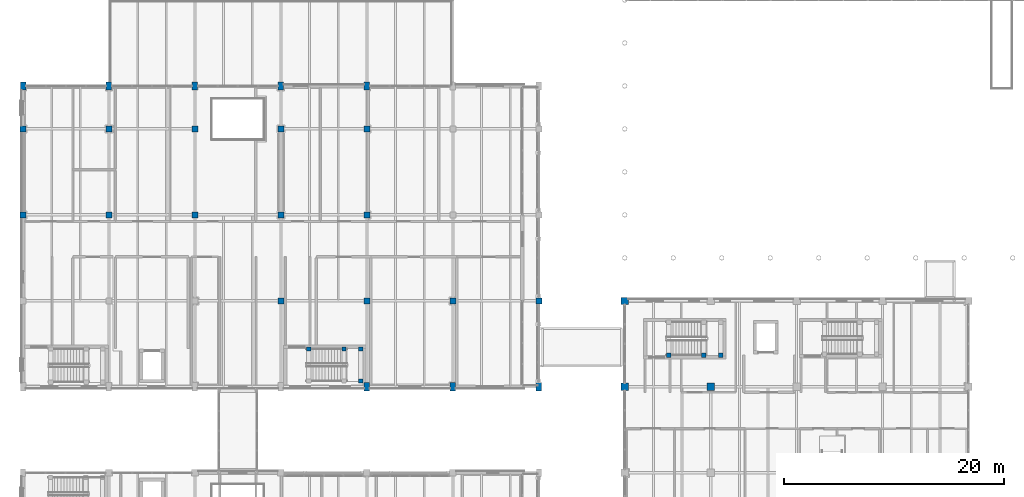
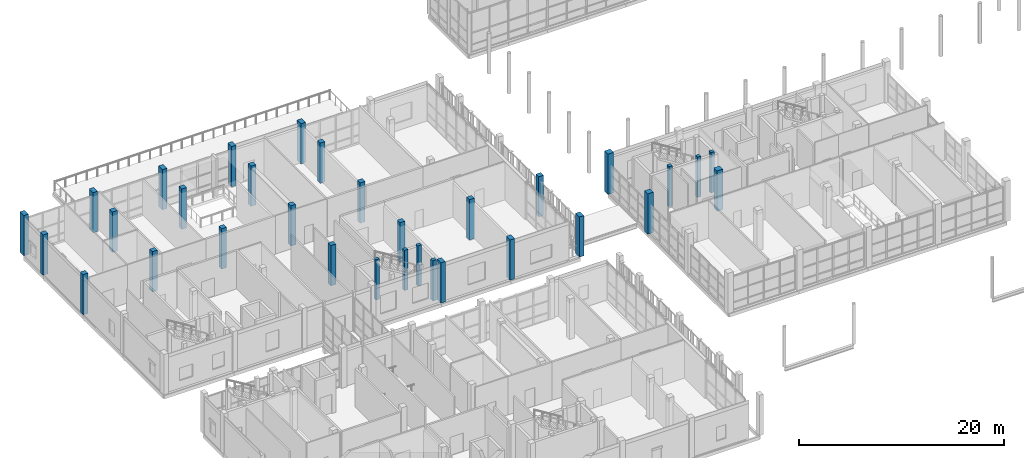
# One storey, part 5 of 138: 32 columns.
"""IFC4 building model written with IfcOpenShell, lengths in metres."""

from ifc_helpers import new_model, si_unit, direction, frame, origin, origin_2d, place, context, subcontext, project, spatial, rectangle, extrude, material, material_profile, profile_set, type_object, element, save


model = new_model("IFC4")

# Units and contexts
model_context = context("Model", 3, precision=1e-05, world=origin(), true_north=direction((0.0, 1.0)))
body_context = subcontext(model_context, "Body", "Model", "MODEL_VIEW")
ifc_project = project(units=[si_unit("LENGTHUNIT", "METRE"), si_unit("AREAUNIT", "SQUARE_METRE"), si_unit("VOLUMEUNIT", "CUBIC_METRE"), si_unit("PLANEANGLEUNIT", "RADIAN"), si_unit("MASSUNIT", "GRAM", prefix="KILO")], contexts=[model_context])

# Site, building, storey
site_placement = place(None, origin())
site = spatial("IfcSite", under=ifc_project, at=site_placement, CompositionType="ELEMENT")
building_placement = place(site_placement, origin())
building = spatial("IfcBuilding", under=site, at=building_placement, Name="Celorna Specialist Clinic", CompositionType="ELEMENT")
storey_placement = place(building_placement, frame((0.0, 0.0, 4.800048828125)))
storey = spatial("IfcBuildingStorey", under=building, at=storey_placement, Name="L01", CompositionType="ELEMENT", Elevation=4.800048828125)

# Columns
ifc_material_1 = material(Name="Concrete C40/50", Category="concrete")
ifc_material_profile_1 = material_profile(ifc_material_1, rectangle(XDim=0.64990234375, YDim=0.64990234375, at=origin_2d()), Name="RC 650x650")
ifc_profile_set_1 = profile_set([ifc_material_profile_1], Name="Concrete C40/50")
column_type_1 = type_object("IfcColumnType", Name="CT-03", PredefinedType="COLUMN", material=ifc_profile_set_1)
for number, where, z_axis, x_axis, name in (
    (1, (54.60009765625, 35.10009765625, 0.0), (0.0, 0.0, 1.0), (1.0, 0.0, 0.0), "Column CT-03 L01 X08/YG"),
    (2, (54.60009765625, 42.89990234375, 0.0), (0.0, 0.0, 1.0), (1.0, 0.0, 0.0), "Column CT-03 L01 X08/YH"),
    (3, (62.39990234375, 35.10009765625, 0.0), (0.0, 0.0, 1.0), (1.0, 0.0, 0.0), "Column CT-03 L01 X09/YG"),
):
    element("IfcColumn", number, at=place(storey_placement, frame(where, z_axis=z_axis, x_axis=x_axis)), inside=storey, type_object=column_type_1, Name=name, PredefinedType="COLUMN", context=body_context, shape_type="SweptSolid", body=[
        extrude(rectangle(XDim=0.64990234375, YDim=0.64990234375, at=origin_2d()), origin(), (0.0, 0.0, 1.0), 4.800048828125),
    ])
ifc_material_2 = material(Name="Concrete C35/45", Category="concrete")
ifc_material_profile_2 = material_profile(ifc_material_2, rectangle(XDim=0.550048828125, YDim=0.550048828125, at=origin_2d()), Name="RC 550x550")
ifc_profile_set_2 = profile_set([ifc_material_profile_2], Name="Concrete C35/45")
column_type_2 = type_object("IfcColumnType", Name="CT-05", PredefinedType="COLUMN", material=ifc_profile_set_2)
for number, where, z_axis, x_axis, name in (
    (4, (0.0, 50.699951171875, 0.0), (0.0, 0.0, 1.0), (1.0, 0.0, 0.0), "Column CT-05 L01 X01/YK"),
    (5, (0.0, 58.5, 0.0), (0.0, 0.0, 1.0), (1.0, 0.0, 0.0), "Column CT-05 L01 X01/YL"),
    (6, (7.800048828125, 50.699951171875, 0.0), (0.0, 0.0, 1.0), (1.0, 0.0, 0.0), "Column CT-05 L01 X02/YK"),
    (7, (7.800048828125, 58.5, 0.0), (0.0, 0.0, 1.0), (1.0, 0.0, 0.0), "Column CT-05 L01 X02/YL"),
    (8, (15.60009765625, 50.699951171875, 0.0), (0.0, 0.0, 1.0), (1.0, 0.0, 0.0), "Column CT-05 L01 X03/YK"),
    (9, (15.60009765625, 58.5, 0.0), (0.0, 0.0, 1.0), (1.0, 0.0, 0.0), "Column CT-05 L01 X03/YL"),
    (10, (23.39990234375, 42.89990234375, 0.0), (0.0, 0.0, 1.0), (1.0, 0.0, 0.0), "Column CT-05 L01 X04/YH"),
    (11, (23.39990234375, 50.699951171875, 0.0), (0.0, 0.0, 1.0), (1.0, 0.0, 0.0), "Column CT-05 L01 X04/YK"),
    (12, (23.39990234375, 58.5, 0.0), (0.0, 0.0, 1.0), (1.0, 0.0, 0.0), "Column CT-05 L01 X04/YL"),
    (13, (31.199951171875, 42.89990234375, 0.0), (0.0, 0.0, 1.0), (1.0, 0.0, 0.0), "Column CT-05 L01 X05/YH"),
    (14, (31.199951171875, 50.699951171875, 0.0), (0.0, 0.0, 1.0), (1.0, 0.0, 0.0), "Column CT-05 L01 X05/YK"),
    (15, (31.199951171875, 58.5, 0.0), (0.0, 0.0, 1.0), (1.0, 0.0, 0.0), "Column CT-05 L01 X05/YL"),
    (16, (39.0, 42.89990234375, 0.0), (0.0, 0.0, 1.0), (1.0, 0.0, 0.0), "Column CT-05 L01 X06/YH"),
    (17, (46.800048828125, 42.89990234375, 0.0), (0.0, 0.0, 1.0), (1.0, 0.0, 0.0), "Column CT-05 L01 X07/YH"),
):
    element("IfcColumn", number, at=place(storey_placement, frame(where, z_axis=z_axis, x_axis=x_axis)), inside=storey, type_object=column_type_2, Name=name, PredefinedType="COLUMN", context=body_context, shape_type="SweptSolid", body=[
        extrude(rectangle(XDim=0.550048828125, YDim=0.550048828125, at=origin_2d()), origin(), (0.0, 0.0, 1.0), 4.800048828125),
    ])
ifc_material_profile_3 = material_profile(ifc_material_2, rectangle(XDim=0.39990234375, YDim=0.39990234375, at=origin_2d()), Name="RC 400x400")
ifc_profile_set_3 = profile_set([ifc_material_profile_3], Name="Concrete C35/45")
column_type_3 = type_object("IfcColumnType", Name="CT-08", PredefinedType="COLUMN", material=ifc_profile_set_3)
for number, where, z_axis, x_axis, name in (
    (18, (25.919921875, 38.530029296875, 0.0), (0.0, 0.0, 1.0), (1.0, 0.0, 0.0), "Stair ST-07 landing column CT-08 L01 X04/YG"),
    (19, (29.1201171875, 38.530029296875, 0.0), (0.0, 0.0, 1.0), (1.0, 0.0, 0.0), "Stair ST-07 landing column CT-08 L01 X05/YG"),
    (20, (30.639892578125, 35.6298828125, 0.0), (0.0, 0.0, 1.0), (1.0, 0.0, 0.0), "Stair ST-07 landing column CT-08 L01 X05/YG"),
    (21, (30.639892578125, 38.530029296875, 0.0), (0.0, 0.0, 1.0), (1.0, 0.0, 0.0), "Stair ST-07 landing column CT-08 L01 X05/YG"),
    (22, (58.580078125, 37.969970703125, 0.0), (0.0, 0.0, 1.0), (1.0, 0.0, 0.0), "Stair ST-08 landing column CT-08 L01 X09/YG"),
    (23, (61.780029296875, 37.969970703125, 0.0), (0.0, 0.0, 1.0), (1.0, 0.0, 0.0), "Stair ST-08 landing column CT-08 L01 X09/YG"),
    (24, (63.300048828125, 37.969970703125, 0.0), (0.0, 0.0, 1.0), (1.0, 0.0, 0.0), "Stair ST-08 landing column CT-08 L01 X09/YG"),
):
    element("IfcColumn", number, at=place(storey_placement, frame(where, z_axis=z_axis, x_axis=x_axis)), inside=storey, type_object=column_type_3, Name=name, PredefinedType="COLUMN", context=body_context, shape_type="SweptSolid", body=[
        extrude(rectangle(XDim=0.39990234375, YDim=0.39990234375, at=origin_2d()), origin(), (0.0, 0.0, 1.0), 4.800048828125),
    ])
ifc_material_profile_4 = material_profile(ifc_material_1, rectangle(XDim=0.5, YDim=0.75, at=origin_2d()), Name="RC 500x750")
ifc_profile_set_4 = profile_set([ifc_material_profile_4], Name="Concrete C40/50")
column_type_4 = type_object("IfcColumnType", Name="CT-09", PredefinedType="COLUMN", material=ifc_profile_set_4)
for number, where, z_axis, x_axis, name in (
    (25, (0.0, 62.39990234375, 0.0), (0.0, 0.0, 1.0), (1.0, 0.0, 0.0), "Column CT-09 L01 X01/YM"),
    (26, (7.800048828125, 62.39990234375, 0.0), (0.0, 0.0, 1.0), (1.0, 0.0, 0.0), "Column CT-09 L01 X02/YM"),
    (27, (15.60009765625, 62.39990234375, 0.0), (0.0, 0.0, 1.0), (1.0, 0.0, 0.0), "Column CT-09 L01 X03/YM"),
    (28, (23.39990234375, 62.39990234375, 0.0), (0.0, 0.0, 1.0), (1.0, 0.0, 0.0), "Column CT-09 L01 X04/YM"),
    (29, (31.199951171875, 35.10009765625, 0.0), (0.0, 0.0, 1.0), (1.0, 0.0, 0.0), "Column CT-09 L01 X05/YG"),
    (30, (31.199951171875, 62.39990234375, 0.0), (0.0, 0.0, 1.0), (1.0, 0.0, 0.0), "Column CT-09 L01 X05/YM"),
    (31, (39.0, 35.10009765625, 0.0), (0.0, 0.0, 1.0), (1.0, 0.0, 0.0), "Column CT-09 L01 X06/YG"),
    (32, (46.800048828125, 35.10009765625, 0.0), (0.0, 0.0, 1.0), (1.0, 0.0, 0.0), "Column CT-09 L01 X07/YG"),
):
    element("IfcColumn", number, at=place(storey_placement, frame(where, z_axis=z_axis, x_axis=x_axis)), inside=storey, type_object=column_type_4, Name=name, PredefinedType="COLUMN", context=body_context, shape_type="SweptSolid", body=[
        extrude(rectangle(XDim=0.5, YDim=0.75, at=origin_2d()), origin(), (0.0, 0.0, 1.0), 4.800048828125),
    ])

save(model, "model.ifc")
